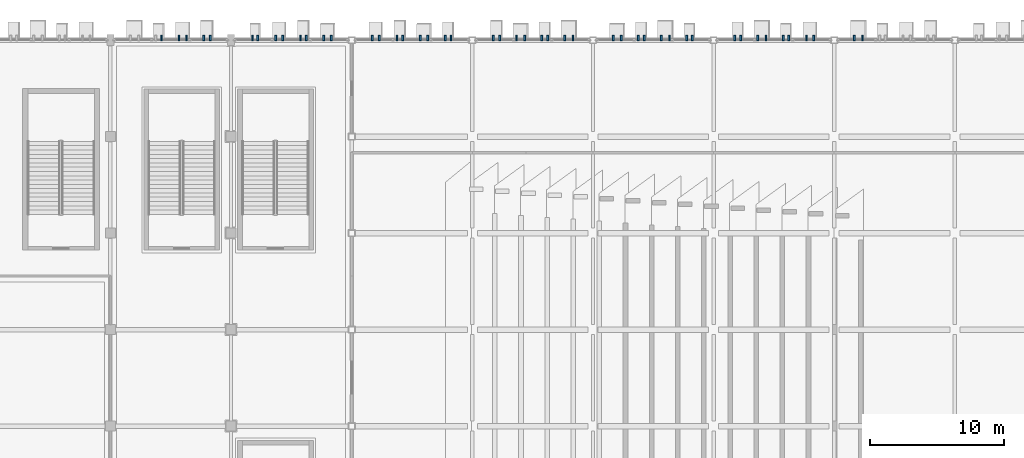
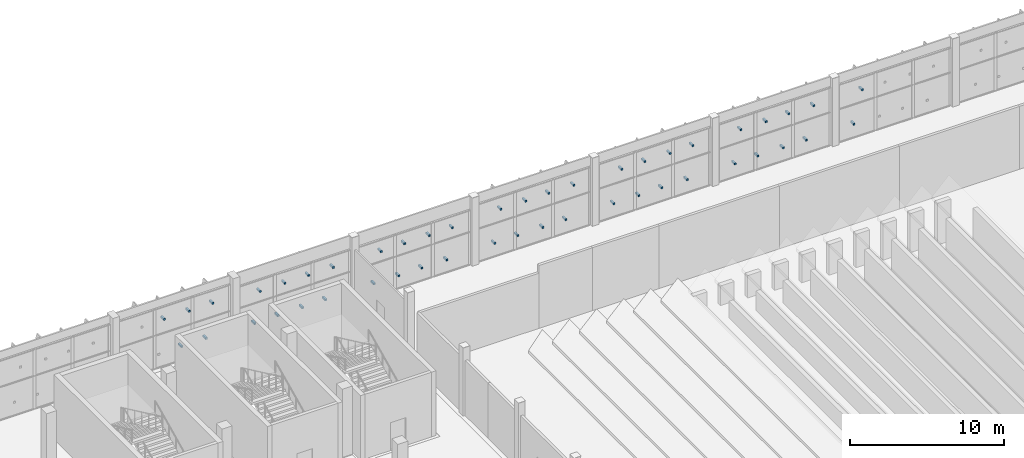
# One storey, part 156 of 189: 47 discrete accessories.
"""IFC4 building model written with IfcOpenShell, lengths in metres."""

from ifc_helpers import new_model, si_unit, direction, frame, origin, origin_2d, place, context, subcontext, project, spatial, rectangle, extrude, material, type_object, element, save


model = new_model("IFC4")

# Units and contexts
model_context = context("Model", 3, precision=1e-05, world=origin(), true_north=direction((0.0, 1.0)))
body_context = subcontext(model_context, "Body", "Model", "MODEL_VIEW")
ifc_project = project(units=[si_unit("LENGTHUNIT", "METRE"), si_unit("AREAUNIT", "SQUARE_METRE"), si_unit("VOLUMEUNIT", "CUBIC_METRE"), si_unit("PLANEANGLEUNIT", "RADIAN"), si_unit("MASSUNIT", "GRAM", prefix="KILO")], contexts=[model_context])

# Site, building, storey
site_placement = place(None, origin())
site = spatial("IfcSite", under=ifc_project, at=site_placement, CompositionType="ELEMENT")
building_placement = place(site_placement, origin())
building = spatial("IfcBuilding", under=site, at=building_placement, Name="Celestram Park Convention Centre", CompositionType="ELEMENT")
storey_placement = place(building_placement, frame((0.0, 0.0, 5.39990234375)))
storey = spatial("IfcBuildingStorey", under=building, at=storey_placement, Name="L01", CompositionType="ELEMENT", Elevation=5.39990234375)

# Discrete accessories
ifc_material = material(Name="Steel ASTM A500 Grade C", Category="steel")
discrete_accessory_type = type_object("IfcDiscreteAccessoryType", Name="ARC-BRK-OUT400", PredefinedType="BRACKET", material=ifc_material)
for number, where, z_axis, x_axis, name in (
    (1, (138.812744140625, 165.75, 3.6259765625), (0.0, 0.0, 1.0), (0.0, 1.0, 0.0), "Solar fin outrigger bracket BK-L01-0370"),
    (2, (140.12109375, 165.75, 1.0107421875), (0.0, 0.0, 1.0), (0.0, 1.0, 0.0), "Solar fin outrigger bracket BK-L01-0371"),
    (3, (140.678955078125, 165.75, 3.61376953125), (0.0, 0.0, 1.0), (0.0, 1.0, 0.0), "Solar fin outrigger bracket BK-L01-0372"),
    (4, (141.959716796875, 165.75, 1.0029296875), (0.0, 0.0, 1.0), (0.0, 1.0, 0.0), "Solar fin outrigger bracket BK-L01-0373"),
    (5, (142.440185546875, 165.75, 3.62158203125), (0.0, 0.0, 1.0), (0.0, 1.0, 0.0), "Solar fin outrigger bracket BK-L01-0374"),
    (6, (145.60498046875, 165.75, 0.90966796875), (0.0, 0.0, 1.0), (0.0, 1.0, 0.0), "Solar fin outrigger bracket BK-L01-0375"),
    (7, (145.9951171875, 165.75, 3.31884765625), (0.0, 0.0, 1.0), (0.0, 1.0, 0.0), "Solar fin outrigger bracket BK-L01-0376"),
    (8, (147.34423828125, 165.75, 0.9208984375), (0.0, 0.0, 1.0), (0.0, 1.0, 0.0), "Solar fin outrigger bracket BK-L01-0377"),
    (9, (147.855712890625, 165.75, 3.30712890625), (0.0, 0.0, 1.0), (0.0, 1.0, 0.0), "Solar fin outrigger bracket BK-L01-0378"),
    (10, (149.1796875, 165.75, 0.9140625), (0.0, 0.0, 1.0), (0.0, 1.0, 0.0), "Solar fin outrigger bracket BK-L01-0379"),
    (11, (149.620361328125, 165.75, 3.314453125), (0.0, 0.0, 1.0), (0.0, 1.0, 0.0), "Solar fin outrigger bracket BK-L01-0380"),
    (12, (150.917236328125, 165.75, 0.92724609375), (0.0, 0.0, 1.0), (0.0, 1.0, 0.0), "Solar fin outrigger bracket BK-L01-0381"),
    (13, (151.48291015625, 165.75, 3.30126953125), (0.0, 0.0, 1.0), (0.0, 1.0, 0.0), "Solar fin outrigger bracket BK-L01-0382"),
    (14, (154.544189453125, 165.75, 0.9208984375), (0.0, 0.0, 1.0), (0.0, 1.0, 0.0), "Solar fin outrigger bracket BK-L01-0383"),
    (15, (155.055908203125, 165.75, 3.30712890625), (0.0, 0.0, 1.0), (0.0, 1.0, 0.0), "Solar fin outrigger bracket BK-L01-0384"),
    (16, (156.379638671875, 165.75, 0.9140625), (0.0, 0.0, 1.0), (0.0, 1.0, 0.0), "Solar fin outrigger bracket BK-L01-0385"),
    (17, (156.8203125, 165.75, 3.314453125), (0.0, 0.0, 1.0), (0.0, 1.0, 0.0), "Solar fin outrigger bracket BK-L01-0386"),
    (18, (158.1171875, 165.75, 0.92724609375), (0.0, 0.0, 1.0), (0.0, 1.0, 0.0), "Solar fin outrigger bracket BK-L01-0387"),
    (19, (158.682861328125, 165.75, 3.30126953125), (0.0, 0.0, 1.0), (0.0, 1.0, 0.0), "Solar fin outrigger bracket BK-L01-0388"),
    (20, (159.9921875, 165.75, 0.91162109375), (0.0, 0.0, 1.0), (0.0, 1.0, 0.0), "Solar fin outrigger bracket BK-L01-0389"),
    (21, (160.40771484375, 165.75, 3.31640625), (0.0, 0.0, 1.0), (0.0, 1.0, 0.0), "Solar fin outrigger bracket BK-L01-0390"),
    (22, (163.56689453125, 165.75, 0.9716796875), (0.0, 0.0, 1.0), (0.0, 1.0, 0.0), "Solar fin outrigger bracket BK-L01-0391"),
    (23, (164.033203125, 165.75, 3.5126953125), (0.0, 0.0, 1.0), (0.0, 1.0, 0.0), "Solar fin outrigger bracket BK-L01-0392"),
    (24, (165.300537109375, 165.75, 0.9853515625), (0.0, 0.0, 1.0), (0.0, 1.0, 0.0), "Solar fin outrigger bracket BK-L01-0393"),
    (25, (165.8994140625, 165.75, 3.4990234375), (0.0, 0.0, 1.0), (0.0, 1.0, 0.0), "Solar fin outrigger bracket BK-L01-0394"),
    (26, (167.18017578125, 165.75, 0.96923828125), (0.0, 0.0, 1.0), (0.0, 1.0, 0.0), "Solar fin outrigger bracket BK-L01-0395"),
    (27, (167.619873046875, 165.75, 3.51513671875), (0.0, 0.0, 1.0), (0.0, 1.0, 0.0), "Solar fin outrigger bracket BK-L01-0396"),
    (28, (168.891845703125, 165.75, 0.98779296875), (0.0, 0.0, 1.0), (0.0, 1.0, 0.0), "Solar fin outrigger bracket BK-L01-0397"),
    (29, (169.50830078125, 165.75, 3.49658203125), (0.0, 0.0, 1.0), (0.0, 1.0, 0.0), "Solar fin outrigger bracket BK-L01-0398"),
    (30, (172.50048828125, 165.75, 0.9853515625), (0.0, 0.0, 1.0), (0.0, 1.0, 0.0), "Solar fin outrigger bracket BK-L01-0399"),
    (31, (173.099365234375, 165.75, 3.4990234375), (0.0, 0.0, 1.0), (0.0, 1.0, 0.0), "Solar fin outrigger bracket BK-L01-0400"),
    (32, (174.380126953125, 165.75, 0.96923828125), (0.0, 0.0, 1.0), (0.0, 1.0, 0.0), "Solar fin outrigger bracket BK-L01-0401"),
    (33, (174.81982421875, 165.75, 3.51513671875), (0.0, 0.0, 1.0), (0.0, 1.0, 0.0), "Solar fin outrigger bracket BK-L01-0402"),
    (34, (176.091796875, 165.75, 0.98779296875), (0.0, 0.0, 1.0), (0.0, 1.0, 0.0), "Solar fin outrigger bracket BK-L01-0403"),
    (35, (176.708251953125, 165.75, 3.49658203125), (0.0, 0.0, 1.0), (0.0, 1.0, 0.0), "Solar fin outrigger bracket BK-L01-0404"),
    (36, (177.993408203125, 165.75, 0.966796875), (0.0, 0.0, 1.0), (0.0, 1.0, 0.0), "Solar fin outrigger bracket BK-L01-0405"),
    (37, (178.406494140625, 165.75, 3.517578125), (0.0, 0.0, 1.0), (0.0, 1.0, 0.0), "Solar fin outrigger bracket BK-L01-0406"),
    (38, (181.580078125, 165.75, 0.96923828125), (0.0, 0.0, 1.0), (0.0, 1.0, 0.0), "Solar fin outrigger bracket BK-L01-0407"),
    (39, (182.02001953125, 165.75, 3.51513671875), (0.0, 0.0, 1.0), (0.0, 1.0, 0.0), "Solar fin outrigger bracket BK-L01-0408"),
    (40, (183.291748046875, 165.75, 0.98779296875), (0.0, 0.0, 1.0), (0.0, 1.0, 0.0), "Solar fin outrigger bracket BK-L01-0409"),
    (41, (183.908203125, 165.75, 3.49658203125), (0.0, 0.0, 1.0), (0.0, 1.0, 0.0), "Solar fin outrigger bracket BK-L01-0410"),
    (42, (185.193359375, 165.75, 0.966796875), (0.0, 0.0, 1.0), (0.0, 1.0, 0.0), "Solar fin outrigger bracket BK-L01-0411"),
    (43, (185.606689453125, 165.75, 3.517578125), (0.0, 0.0, 1.0), (0.0, 1.0, 0.0), "Solar fin outrigger bracket BK-L01-0412"),
    (44, (186.92919921875, 165.75, 0.97900390625), (0.0, 0.0, 1.0), (0.0, 1.0, 0.0), "Solar fin outrigger bracket BK-L01-0413"),
    (45, (187.470703125, 165.75, 3.50537109375), (0.0, 0.0, 1.0), (0.0, 1.0, 0.0), "Solar fin outrigger bracket BK-L01-0414"),
    (46, (190.49169921875, 165.75, 0.98779296875), (0.0, 0.0, 1.0), (0.0, 1.0, 0.0), "Solar fin outrigger bracket BK-L01-0415"),
    (47, (191.108154296875, 165.75, 3.49658203125), (0.0, 0.0, 1.0), (0.0, 1.0, 0.0), "Solar fin outrigger bracket BK-L01-0416"),
):
    element("IfcDiscreteAccessory", number, at=place(storey_placement, frame(where, z_axis=z_axis, x_axis=x_axis)), inside=storey, type_object=discrete_accessory_type, Name=name, PredefinedType="BRACKET", context=body_context, shape_type="SweptSolid", body=[
        extrude(rectangle(XDim=0.39990234375, YDim=0.139892578125, at=origin_2d()), origin(), (0.0, 0.0, 1.0), 0.139892578125),
    ])

save(model, "model.ifc")
